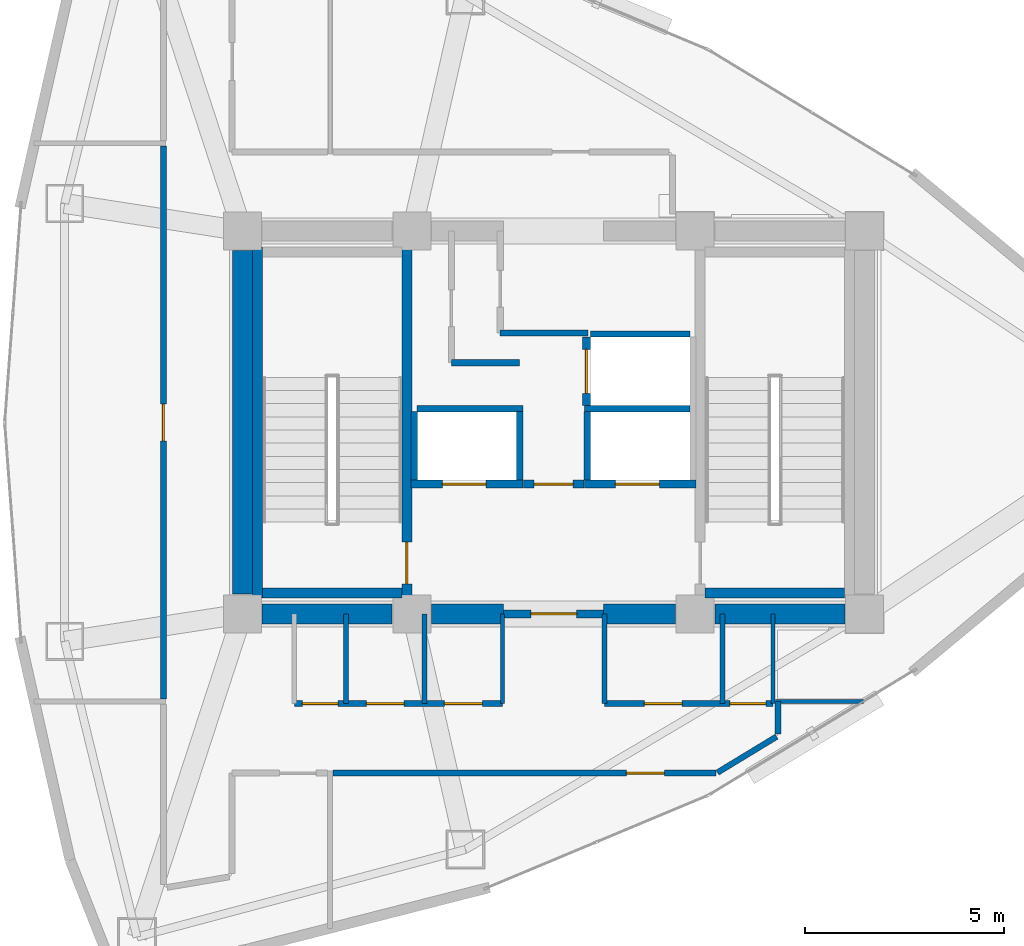
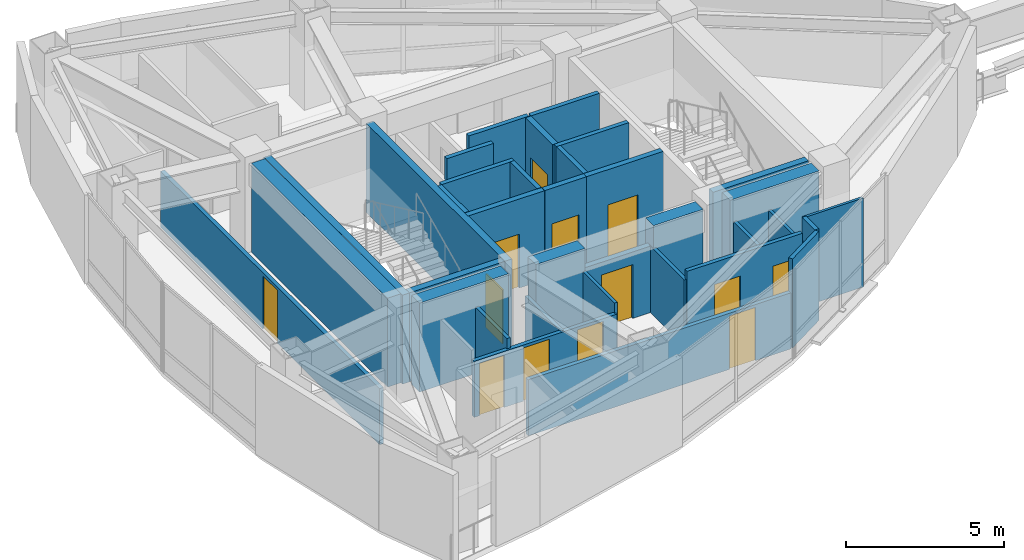
# One storey, part 12 of 15: 35 walls, 13 doors, 13 openings.
"""IFC4 building model written with IfcOpenShell, lengths in metres."""

from ifc_helpers import new_model, si_unit, direction, frame, frame_2d, origin, place, context, subcontext, project, spatial, rectangle, extrude, material, layer, layer_set, type_object, element, fill, save


model = new_model("IFC4")

# Units and contexts
model_context = context("Model", 3, precision=1e-05, world=origin(), true_north=direction((0.0, 1.0)))
body_context = subcontext(model_context, "Body", "Model", "MODEL_VIEW")
ifc_project = project(units=[si_unit("LENGTHUNIT", "METRE"), si_unit("AREAUNIT", "SQUARE_METRE"), si_unit("VOLUMEUNIT", "CUBIC_METRE"), si_unit("PLANEANGLEUNIT", "RADIAN"), si_unit("MASSUNIT", "GRAM", prefix="KILO")], contexts=[model_context])

# Site, building, storey
site_placement = place(None, origin())
site = spatial("IfcSite", under=ifc_project, at=site_placement, CompositionType="ELEMENT")
building_placement = place(site_placement, origin())
building = spatial("IfcBuilding", under=site, at=building_placement, Name="Menara Vayukalpa", CompositionType="ELEMENT")
storey_placement = place(building_placement, frame((0.0, 0.0, 230.699951171875)))
storey = spatial("IfcBuildingStorey", under=building, at=storey_placement, Name="L58", CompositionType="ELEMENT", Elevation=230.699951171875)

# Walls
ifc_material_1 = material(Name="Concrete C60/75", Category="concrete")
ifc_layer_1 = layer(ifc_material_1, 0.5)
ifc_layer_set_1 = layer_set([ifc_layer_1], Name="Concrete C60/75")
wall_type_1 = type_object("IfcWallType", Name="WAL-CW500", PredefinedType="SHEAR", material=ifc_layer_set_1)
wall_1_placement = place(storey_placement, frame((18.294921875, 17.199951171875, 0.0), z_axis=(0.0, 0.0, 1.0), x_axis=(1.0, 0.0, 0.0)))
element("IfcWall", 1, at=wall_1_placement, inside=storey, type_object=wall_type_1, Name="L58 Buttressed Core Shear Wall CWS1", PredefinedType="SHEAR", context=body_context, shape_type="SweptSolid", body=[
    extrude(rectangle(XDim=3.260009765625, YDim=0.5, at=frame_2d((1.6298828125, 0.0))), origin(), (0.0, 0.0, 1.0), 3.43994140625),
])
wall_2_placement = place(storey_placement, frame((22.544921875, 17.199951171875, 0.0), z_axis=(0.0, 0.0, 1.0), x_axis=(1.0, 0.0, 0.0)))
element("IfcWall", 2, at=wall_2_placement, inside=storey, type_object=wall_type_1, Name="L58 Buttressed Core Shear Wall CWS2", PredefinedType="SHEAR", context=body_context, shape_type="SweptSolid", body=[
    extrude(rectangle(XDim=1.80517578125, YDim=0.5, at=frame_2d((0.902587890625, 0.0))), origin(), (0.0, 0.0, 1.0), 3.43994140625),
])
wall_3_placement = place(storey_placement, frame((26.85009765625, 17.199951171875, 0.0), z_axis=(0.0, 0.0, 1.0), x_axis=(1.0, 0.0, 0.0)))
element("IfcWall", 3, at=wall_3_placement, inside=storey, type_object=wall_type_1, Name="L58 Buttressed Core Shear Wall CWS3", PredefinedType="SHEAR", context=body_context, shape_type="SweptSolid", body=[
    extrude(rectangle(XDim=1.804931640625, YDim=0.5, at=frame_2d((0.90234375, 0.0))), origin(), (0.0, 0.0, 1.0), 3.43994140625),
])
wall_4_placement = place(storey_placement, frame((29.64501953125, 17.199951171875, 0.0), z_axis=(0.0, 0.0, 1.0), x_axis=(1.0, 0.0, 0.0)))
element("IfcWall", 4, at=wall_4_placement, inside=storey, type_object=wall_type_1, Name="L58 Buttressed Core Shear Wall CWS4", PredefinedType="SHEAR", context=body_context, shape_type="SweptSolid", body=[
    extrude(rectangle(XDim=3.260009765625, YDim=0.5, at=frame_2d((1.6298828125, 0.0))), origin(), (0.0, 0.0, 1.0), 3.43994140625),
])
wall_5_placement = place(storey_placement, frame((17.800048828125, 17.695068359375, 0.0), z_axis=(0.0, 0.0, 1.0), x_axis=(0.0, 1.0, 0.0)))
element("IfcWall", 5, at=wall_5_placement, inside=storey, type_object=wall_type_1, Name="L58 Buttressed Core Shear Wall CWW1", PredefinedType="SHEAR", context=body_context, shape_type="SweptSolid", body=[
    extrude(rectangle(XDim=8.60986328125, YDim=0.5, at=frame_2d((4.304931640625, 0.0))), origin(), (0.0, 0.0, 1.0), 3.43994140625),
])
ifc_material_2 = material(Name="Lightweight Concrete Blockwork C16/20", Category="masonry")
ifc_layer_2 = layer(ifc_material_2, 0.159912109375)
ifc_layer_set_2 = layer_set([ifc_layer_2], Name="Lightweight Concrete Blockwork C16/20")
wall_type_2 = type_object("IfcWallType", Name="WAL-FR150", PredefinedType="PARTITIONING", material=ifc_layer_set_2)
for number, where, z_axis, x_axis, name in (
    (6, (22.10498046875, 20.56005859375, 0.0), (0.0, 0.0, 1.0), (0.0, 1.0, 0.0), "L58 Interior Partition IW-L58-SHW-WW"),
    (7, (24.7548828125, 20.56005859375, 0.0), (0.0, 0.0, 1.0), (0.0, 1.0, 0.0), "L58 Interior Partition IW-L58-SHW-W1E"),
):
    element("IfcWall", number, at=place(storey_placement, frame(where, z_axis=z_axis, x_axis=x_axis)), inside=storey, type_object=wall_type_2, Name=name, PredefinedType="PARTITIONING", context=body_context, shape_type="SweptSolid", body=[
        extrude(rectangle(XDim=1.7099609375, YDim=0.159912109375, at=frame_2d((0.85498046875, 0.0))), origin(), (0.0, 0.0, 1.0), 3.43994140625),
    ])
wall_6_placement = place(storey_placement, frame((22.179931640625, 22.344970703125, 0.0), z_axis=(0.0, 0.0, 1.0), x_axis=(1.0, 0.0, 0.0)))
element("IfcWall", 8, at=wall_6_placement, inside=storey, type_object=wall_type_2, Name="L58 Interior Partition IW-L58-SHM-W12", PredefinedType="PARTITIONING", context=body_context, shape_type="SweptSolid", body=[
    extrude(rectangle(XDim=2.650146484375, YDim=0.159912109375, at=frame_2d((1.3251953125, 0.0))), origin(), (0.0, 0.0, 1.0), 3.43994140625),
])
wall_7_placement = place(storey_placement, frame((26.445068359375, 20.56005859375, 0.0), z_axis=(0.0, 0.0, 1.0), x_axis=(0.0, 1.0, 0.0)))
element("IfcWall", 9, at=wall_7_placement, inside=storey, type_object=wall_type_2, Name="L58 Interior Partition IW-L58-SHW-E1W", PredefinedType="PARTITIONING", context=body_context, shape_type="SweptSolid", body=[
    extrude(rectangle(XDim=1.7099609375, YDim=0.159912109375, at=frame_2d((0.85498046875, 0.0))), origin(), (0.0, 0.0, 1.0), 3.43994140625),
])
wall_8_placement = place(storey_placement, frame((26.3701171875, 22.344970703125, 0.0), z_axis=(0.0, 0.0, 1.0), x_axis=(1.0, 0.0, 0.0)))
element("IfcWall", 10, at=wall_8_placement, inside=storey, type_object=wall_type_2, Name="L58 Interior Partition IW-L58-SHM-E13", PredefinedType="PARTITIONING", context=body_context, shape_type="SweptSolid", body=[
    extrude(rectangle(XDim=2.64990234375, YDim=0.159912109375, at=frame_2d((1.324951171875, 0.0))), origin(), (0.0, 0.0, 1.0), 3.43994140625),
])
wall_9_placement = place(storey_placement, frame((26.530029296875, 24.215087890625, 0.0), z_axis=(0.0, 0.0, 1.0), x_axis=(1.0, 0.0, 0.0)))
element("IfcWall", 11, at=wall_9_placement, inside=storey, type_object=wall_type_2, Name="L58 Interior Partition IW-L58-SHM-E32", PredefinedType="PARTITIONING", context=body_context, shape_type="SweptSolid", body=[
    extrude(rectangle(XDim=2.489990234375, YDim=0.159912109375, at=frame_2d((1.2451171875, 0.0))), origin(), (0.0, 0.0, 1.0), 3.43994140625),
])
wall_10_placement = place(storey_placement, frame((23.0400390625, 23.5, 0.0), z_axis=(0.0, 0.0, 1.0), x_axis=(1.0, 0.0, 0.0)))
element("IfcWall", 12, at=wall_10_placement, inside=storey, type_object=wall_type_2, Name="L58 Interior Partition IW-L58-LV7WA", PredefinedType="PARTITIONING", context=body_context, shape_type="SweptSolid", body=[
    extrude(rectangle(XDim=1.699951171875, YDim=0.159912109375, at=frame_2d((0.85009765625, 0.0))), origin(), (0.0, 0.0, 1.0), 3.43994140625),
])
wall_11_placement = place(storey_placement, frame((24.260009765625, 24.239990234375, 0.0), z_axis=(0.0, 0.0, 1.0), x_axis=(1.0, 0.0, 0.0)))
element("IfcWall", 13, at=wall_11_placement, inside=storey, type_object=wall_type_2, Name="L58 Interior Partition IW-L58-LV7EA", PredefinedType="PARTITIONING", context=body_context, shape_type="SweptSolid", body=[
    extrude(rectangle(XDim=2.199951171875, YDim=0.159912109375, at=frame_2d((1.10009765625, 0.0))), origin(), (0.0, 0.0, 1.0), 3.43994140625),
])

# Wall, opening, door
ifc_material_3 = material(Name="Lightweight Concrete Blockwork C16/20", Category="masonry")
ifc_layer_3 = layer(ifc_material_3, 0.199951171875)
ifc_layer_set_3 = layer_set([ifc_layer_3], Name="Lightweight Concrete Blockwork C16/20")
wall_type_3 = type_object("IfcWallType", Name="WAL-FR200", PredefinedType="PARTITIONING", material=ifc_layer_set_3)
wall_12_placement = place(storey_placement, frame((24.35009765625, 17.199951171875, 0.0), z_axis=(0.0, 0.0, 1.0), x_axis=(1.0, 0.0, 0.0)))
wall_12 = element("IfcWall", 14, at=wall_12_placement, inside=storey, type_object=wall_type_3, Name="L58 Interior Partition IW-L58-FFLS", PredefinedType="PARTITIONING", context=body_context, shape_type="SweptSolid", body=[
    extrude(rectangle(XDim=2.5, YDim=0.199951171875, at=frame_2d((1.25, 0.0))), origin(), (0.0, 0.0, 1.0), 2.570068359375),
])
opening_1_placement = place(wall_12_placement, frame((0.679931640625, 0.0, 0.0)))
opening_1 = element("IfcOpeningElement", 15, at=opening_1_placement, cuts=wall_12, Name="Opening ID2", PredefinedType="OPENING", context=body_context, shape_type="SweptSolid", body=[
    extrude(rectangle(XDim=1.14990234375, YDim=2.080078125, at=frame_2d((0.574951171875, 1.0400390625))), frame((0.0, 0.10986328125, 0.0), z_axis=(0.0, -1.0, 0.0), x_axis=(1.0, 0.0, 0.0)), (0.0, 0.0, 1.0), 0.219970703125),
])
ifc_material_4 = material(Name="Fire-Rated Powder-Coated Steel Door", Category="steel")
door_type_1 = type_object("IfcDoorType", Name="DR-FD60W", OperationType="NOTDEFINED", PredefinedType="DOOR", material=ifc_material_4)
door_1_placement = place(opening_1_placement, origin())
door_1 = element("IfcDoor", 16, at=door_1_placement, inside=storey, type_object=door_type_1, Name="L58 Interior Door DR-L58-FFLS", OperationType="SINGLE_SWING_LEFT", OverallHeight=2.080078125, OverallWidth=1.14990234375, PredefinedType="DOOR", context=body_context, shape_type="SweptSolid", body=[
    extrude(rectangle(XDim=1.14990234375, YDim=2.080078125, at=frame_2d((0.574951171875, 1.0400390625))), frame((0.0, 0.02490234375, 0.0), z_axis=(0.0, -1.0, 0.0), x_axis=(1.0, 0.0, 0.0)), (0.0, 0.0, 1.0), 0.050048828125),
])
fill(opening_1, door_1)

wall_13_placement = place(storey_placement, frame((24.840087890625, 20.449951171875, 0.0), z_axis=(0.0, 0.0, 1.0), x_axis=(1.0, 0.0, 0.0)))
wall_13 = element("IfcWall", 17, at=wall_13_placement, inside=storey, type_object=wall_type_3, Name="L58 Interior Partition IW-L58-FFLN", PredefinedType="PARTITIONING", context=body_context, shape_type="SweptSolid", body=[
    extrude(rectangle(XDim=1.52001953125, YDim=0.199951171875, at=frame_2d((0.760009765625, 0.0))), origin(), (0.0, 0.0, 1.0), 3.43994140625),
])
opening_2_placement = place(wall_13_placement, frame((0.27001953125, 0.0, 0.0)))
opening_2 = element("IfcOpeningElement", 18, at=opening_2_placement, cuts=wall_13, Name="Opening ID3", PredefinedType="OPENING", context=body_context, shape_type="SweptSolid", body=[
    extrude(rectangle(XDim=0.97998046875, YDim=2.06005859375, at=frame_2d((0.489990234375, 1.030029296875))), frame((0.0, 0.10986328125, 0.0), z_axis=(0.0, -1.0, 0.0), x_axis=(1.0, 0.0, 0.0)), (0.0, 0.0, 1.0), 0.219970703125),
])
ifc_material_5 = material(Name="Fire-Rated Powder-Coated Steel Door", Category="steel")
door_type_2 = type_object("IfcDoorType", Name="DR-FD60", OperationType="NOTDEFINED", PredefinedType="DOOR", material=ifc_material_5)
door_2_placement = place(opening_2_placement, origin())
door_2 = element("IfcDoor", 19, at=door_2_placement, inside=storey, type_object=door_type_2, Name="L58 Interior Door DR-L58-FFLN", OperationType="SINGLE_SWING_RIGHT", OverallHeight=2.06005859375, OverallWidth=0.97998046875, PredefinedType="DOOR", context=body_context, shape_type="SweptSolid", body=[
    extrude(rectangle(XDim=0.97998046875, YDim=2.06005859375, at=frame_2d((0.489990234375, 1.030029296875))), frame((0.0, 0.02490234375, 0.0), z_axis=(0.0, -1.0, 0.0), x_axis=(1.0, 0.0, 0.0)), (0.0, 0.0, 1.0), 0.050048828125),
])
fill(opening_2, door_2)

wall_14_placement = place(storey_placement, frame((22.030029296875, 20.449951171875, 0.0), z_axis=(0.0, 0.0, 1.0), x_axis=(1.0, 0.0, 0.0)))
wall_14 = element("IfcWall", 20, at=wall_14_placement, inside=storey, type_object=wall_type_3, Name="L58 Interior Partition IW-L58-SH-W1", PredefinedType="PARTITIONING", context=body_context, shape_type="SweptSolid", body=[
    extrude(rectangle(XDim=2.800048828125, YDim=0.199951171875, at=frame_2d((1.39990234375, 0.0))), origin(), (0.0, 0.0, 1.0), 3.43994140625),
])
opening_3_placement = place(wall_14_placement, frame((0.780029296875, 0.0, 0.0)))
opening_3 = element("IfcOpeningElement", 21, at=opening_3_placement, cuts=wall_14, Name="Opening LD1", PredefinedType="OPENING", context=body_context, shape_type="SweptSolid", body=[
    extrude(rectangle(XDim=1.10009765625, YDim=2.080078125, at=frame_2d((0.550048828125, 1.0400390625))), frame((0.0, 0.10986328125, 0.0), z_axis=(0.0, -1.0, 0.0), x_axis=(1.0, 0.0, 0.0)), (0.0, 0.0, 1.0), 0.219970703125),
])
ifc_material_6 = material(Name="Brushed Stainless Steel 316 Lift Door", Category="steel")
door_type_3 = type_object("IfcDoorType", Name="DR-LD110", OperationType="NOTDEFINED", PredefinedType="DOOR", material=ifc_material_6)
door_3_placement = place(opening_3_placement, origin())
door_3 = element("IfcDoor", 22, at=door_3_placement, inside=storey, type_object=door_type_3, Name="L58 Interior Door DR-L58-LD-W1", OperationType="DOUBLE_DOOR_SLIDING", OverallHeight=2.080078125, OverallWidth=1.10009765625, PredefinedType="DOOR", context=body_context, shape_type="SweptSolid", body=[
    extrude(rectangle(XDim=1.10009765625, YDim=2.080078125, at=frame_2d((0.550048828125, 1.0400390625))), frame((0.0, 0.02490234375, 0.0), z_axis=(0.0, -1.0, 0.0), x_axis=(1.0, 0.0, 0.0)), (0.0, 0.0, 1.0), 0.050048828125),
])
fill(opening_3, door_3)

wall_15_placement = place(storey_placement, frame((26.3701171875, 20.449951171875, 0.0), z_axis=(0.0, 0.0, 1.0), x_axis=(1.0, 0.0, 0.0)))
wall_15 = element("IfcWall", 23, at=wall_15_placement, inside=storey, type_object=wall_type_3, Name="L58 Interior Partition IW-L58-SH-E1", PredefinedType="PARTITIONING", context=body_context, shape_type="SweptSolid", body=[
    extrude(rectangle(XDim=2.7998046875, YDim=0.199951171875, at=frame_2d((1.39990234375, 0.0))), origin(), (0.0, 0.0, 1.0), 3.43994140625),
])
opening_4_placement = place(wall_15_placement, frame((0.780029296875, 0.0, 0.0)))
opening_4 = element("IfcOpeningElement", 24, at=opening_4_placement, cuts=wall_15, Name="Opening LD1", PredefinedType="OPENING", context=body_context, shape_type="SweptSolid", body=[
    extrude(rectangle(XDim=1.10009765625, YDim=2.080078125, at=frame_2d((0.550048828125, 1.0400390625))), frame((0.0, 0.10986328125, 0.0), z_axis=(0.0, -1.0, 0.0), x_axis=(1.0, 0.0, 0.0)), (0.0, 0.0, 1.0), 0.219970703125),
])
door_4_placement = place(opening_4_placement, origin())
door_4 = element("IfcDoor", 25, at=door_4_placement, inside=storey, type_object=door_type_3, Name="L58 Interior Door DR-L58-LD-E1", OperationType="DOUBLE_DOOR_SLIDING", OverallHeight=2.080078125, OverallWidth=1.10009765625, PredefinedType="DOOR", context=body_context, shape_type="SweptSolid", body=[
    extrude(rectangle(XDim=1.10009765625, YDim=2.080078125, at=frame_2d((0.550048828125, 1.0400390625))), frame((0.0, 0.02490234375, 0.0), z_axis=(0.0, -1.0, 0.0), x_axis=(1.0, 0.0, 0.0)), (0.0, 0.0, 1.0), 0.050048828125),
])
fill(opening_4, door_4)

wall_16_placement = place(storey_placement, frame((26.419921875, 22.419921875, 0.0), z_axis=(0.0, 0.0, 1.0), x_axis=(0.0, 1.0, 0.0)))
wall_16 = element("IfcWall", 26, at=wall_16_placement, inside=storey, type_object=wall_type_3, Name="L58 Interior Partition IW-L58-SH-E3", PredefinedType="PARTITIONING", context=body_context, shape_type="SweptSolid", body=[
    extrude(rectangle(XDim=1.719970703125, YDim=0.199951171875, at=frame_2d((0.85986328125, 0.0))), origin(), (0.0, 0.0, 1.0), 3.43994140625),
])
opening_5_placement = place(wall_16_placement, frame((0.31005859375, 0.0, 0.0)))
opening_5 = element("IfcOpeningElement", 27, at=opening_5_placement, cuts=wall_16, Name="Opening LD1", PredefinedType="OPENING", context=body_context, shape_type="SweptSolid", body=[
    extrude(rectangle(XDim=1.10009765625, YDim=2.080078125, at=frame_2d((0.550048828125, 1.0400390625))), frame((0.0, 0.10986328125, 0.0), z_axis=(0.0, -1.0, 0.0), x_axis=(1.0, 0.0, 0.0)), (0.0, 0.0, 1.0), 0.219970703125),
])
door_5_placement = place(opening_5_placement, origin())
door_5 = element("IfcDoor", 28, at=door_5_placement, inside=storey, type_object=door_type_3, Name="L58 Interior Door DR-L58-LD-E3", OperationType="DOUBLE_DOOR_SLIDING", OverallHeight=2.080078125, OverallWidth=1.10009765625, PredefinedType="DOOR", context=body_context, shape_type="SweptSolid", body=[
    extrude(rectangle(XDim=1.10009765625, YDim=2.080078125, at=frame_2d((0.550048828125, 1.0400390625))), frame((0.0, 0.02490234375, 0.0), z_axis=(0.0, -1.0, 0.0), x_axis=(1.0, 0.0, 0.0)), (0.0, 0.0, 1.0), 0.050048828125),
])
fill(opening_5, door_5)

# Walls
ifc_material_7 = material(Name="Glazed Demountable Office Partition", Category="glass")
ifc_layer_4 = layer(ifc_material_7, 0.094970703125)
ifc_layer_set_4 = layer_set([ifc_layer_4], Name="Glazed Demountable Office Partition")
wall_type_4 = type_object("IfcWallType", Name="WAL-PT100", PredefinedType="PARTITIONING", material=ifc_layer_set_4)
wall_17_placement = place(storey_placement, frame((31.169921875, 15.0, 0.0), z_axis=(0.0, 0.0, 1.0), x_axis=(1.0, 0.0, 0.0)))
element("IfcWall", 29, at=wall_17_placement, inside=storey, type_object=wall_type_4, Name="L58 Interior Partition IW-L58-RDIV04", PredefinedType="PARTITIONING", context=body_context, shape_type="SweptSolid", body=[
    extrude(rectangle(XDim=2.198486328125, YDim=0.094970703125, at=frame_2d((1.09912109375, 0.0))), origin(), (0.0, 0.0, 1.0), 3.43994140625),
])
ifc_material_8 = material(Name="Acoustic Mineral Stud Partition", Category="masonry")
ifc_layer_5 = layer(ifc_material_8, 0.110107421875)
ifc_layer_set_5 = layer_set([ifc_layer_5], Name="Acoustic Mineral Stud Partition")
wall_type_5 = type_object("IfcWallType", Name="WAL-PT110", PredefinedType="PARTITIONING", material=ifc_layer_set_5)
for number, where, z_axis, x_axis, name in (
    (30, (24.320068359375, 14.949951171875, 0.0), (0.0, 0.0, 1.0), (0.0, 1.0, 0.0), "L58 Interior Partition IW-L58-SVCD-04"),
    (31, (31.10009765625, 14.949951171875, 0.0), (0.0, 0.0, 1.0), (0.0, 1.0, 0.0), "L58 Interior Partition IW-L58-SVCD-07"),
):
    element("IfcWall", number, at=place(storey_placement, frame(where, z_axis=z_axis, x_axis=x_axis)), inside=storey, type_object=wall_type_5, Name=name, PredefinedType="PARTITIONING", context=body_context, shape_type="SweptSolid", body=[
        extrude(rectangle(XDim=2.25, YDim=0.110107421875, at=frame_2d((1.125, 0.0))), origin(), (0.0, 0.0, 1.0), 2.570068359375),
    ])
ifc_material_9 = material(Name="Gypsum Drywall Steel Stud Assembly", Category="steel")
ifc_layer_6 = layer(ifc_material_9, 0.125)
ifc_layer_set_6 = layer_set([ifc_layer_6], Name="Gypsum Drywall Steel Stud Assembly")
wall_type_6 = type_object("IfcWallType", Name="WAL-PT125", PredefinedType="PARTITIONING", material=ifc_layer_set_6)
wall_18_placement = place(storey_placement, frame((20.39990234375, 14.949951171875, 0.0), z_axis=(0.0, 0.0, 1.0), x_axis=(0.0, 1.0, 0.0)))
element("IfcWall", 32, at=wall_18_placement, inside=storey, type_object=wall_type_6, Name="L58 Interior Partition IW-L58-SVCD-02", PredefinedType="PARTITIONING", context=body_context, shape_type="SweptSolid", body=[
    extrude(rectangle(XDim=2.25, YDim=0.125, at=frame_2d((1.125, 0.0))), origin(), (0.0, 0.0, 1.0), 2.570068359375),
])
wall_19_placement = place(storey_placement, frame((22.360107421875, 14.949951171875, 0.0), z_axis=(0.0, 0.0, 1.0), x_axis=(0.0, 1.0, 0.0)))
element("IfcWall", 33, at=wall_19_placement, inside=storey, type_object=wall_type_6, Name="L58 Interior Partition IW-L58-SVCD-03", PredefinedType="PARTITIONING", context=body_context, shape_type="SweptSolid", body=[
    extrude(rectangle(XDim=2.25, YDim=0.125, at=frame_2d((1.125, 0.0))), origin(), (0.0, 0.0, 1.0), 2.170166015625),
])
for number, where, z_axis, x_axis, name in (
    (34, (26.8798828125, 14.949951171875, 0.0), (0.0, 0.0, 1.0), (0.0, 1.0, 0.0), "L58 Interior Partition IW-L58-SVCD-05"),
    (35, (29.830078125, 14.949951171875, 0.0), (0.0, 0.0, 1.0), (0.0, 1.0, 0.0), "L58 Interior Partition IW-L58-SVCD-06"),
):
    element("IfcWall", number, at=place(storey_placement, frame(where, z_axis=z_axis, x_axis=x_axis)), inside=storey, type_object=wall_type_6, Name=name, PredefinedType="PARTITIONING", context=body_context, shape_type="SweptSolid", body=[
        extrude(rectangle(XDim=2.25, YDim=0.125, at=frame_2d((1.125, 0.0))), origin(), (0.0, 0.0, 1.0), 2.570068359375),
    ])

# Wall, openings, doors
ifc_material_10 = material(Name="Gypsum Drywall Acoustic Stud Assembly", Category="masonry")
ifc_layer_7 = layer(ifc_material_10, 0.14501953125)
ifc_layer_set_7 = layer_set([ifc_layer_7], Name="Gypsum Drywall Acoustic Stud Assembly")
wall_type_7 = type_object("IfcWallType", Name="WAL-PT150", PredefinedType="PARTITIONING", material=ifc_layer_set_7)
wall_20_placement = place(storey_placement, frame((19.10009765625, 14.949951171875, 0.0), z_axis=(0.0, 0.0, 1.0), x_axis=(1.0, 0.0, 0.0)))
wall_20 = element("IfcWall", 36, at=wall_20_placement, inside=storey, type_object=wall_type_7, Name="L58 Interior Partition IW-L58-SVCS-W", PredefinedType="PARTITIONING", context=body_context, shape_type="SweptSolid", body=[
    extrude(rectangle(XDim=5.219970703125, YDim=0.14501953125, at=frame_2d((2.60986328125, 0.0))), origin(), (0.0, 0.0, 1.0), 2.170166015625),
])
opening_6_placement = place(wall_20_placement, frame((0.199951171875, 0.0, 0.0)))
opening_6 = element("IfcOpeningElement", 37, at=opening_6_placement, cuts=wall_20, Name="Opening ID7", PredefinedType="OPENING", context=body_context, shape_type="SweptSolid", body=[
    extrude(rectangle(XDim=0.89990234375, YDim=2.02001953125, at=frame_2d((0.449951171875, 1.010009765625))), frame((0.0, 0.08251953125, 0.0), z_axis=(0.0, -1.0, 0.0), x_axis=(1.0, 0.0, 0.0)), (0.0, 0.0, 1.0), 0.1650390625),
])
opening_7_placement = place(wall_20_placement, frame((1.804931640625, 0.0, 0.0)))
opening_7 = element("IfcOpeningElement", 38, at=opening_7_placement, cuts=wall_20, Name="Opening ID5", PredefinedType="OPENING", context=body_context, shape_type="SweptSolid", body=[
    extrude(rectangle(XDim=0.949951171875, YDim=2.06005859375, at=frame_2d((0.47509765625, 1.030029296875))), frame((0.0, 0.08251953125, 0.0), z_axis=(0.0, -1.0, 0.0), x_axis=(1.0, 0.0, 0.0)), (0.0, 0.0, 1.0), 0.1650390625),
])
opening_8_placement = place(wall_20_placement, frame((3.764892578125, 0.0, 0.0)))
opening_8 = element("IfcOpeningElement", 39, at=opening_8_placement, cuts=wall_20, Name="Opening ID5", PredefinedType="OPENING", context=body_context, shape_type="SweptSolid", body=[
    extrude(rectangle(XDim=0.949951171875, YDim=2.06005859375, at=frame_2d((0.47509765625, 1.030029296875))), frame((0.0, 0.08251953125, 0.0), z_axis=(0.0, -1.0, 0.0), x_axis=(1.0, 0.0, 0.0)), (0.0, 0.0, 1.0), 0.1650390625),
])
ifc_material_11 = material(Name="Acoustic Hardwood Veneer Timber Door", Category="wood")
door_type_4 = type_object("IfcDoorType", Name="DR-INT95", OperationType="NOTDEFINED", PredefinedType="DOOR", material=ifc_material_11)
door_6_placement = place(opening_7_placement, origin())
door_6 = element("IfcDoor", 40, at=door_6_placement, inside=storey, type_object=door_type_4, Name="L58 Interior Door DR-L58-AWC", OperationType="SINGLE_SWING_RIGHT", OverallHeight=2.06005859375, OverallWidth=0.949951171875, PredefinedType="DOOR", context=body_context, shape_type="SweptSolid", body=[
    extrude(rectangle(XDim=0.949951171875, YDim=2.06005859375, at=frame_2d((0.47509765625, 1.030029296875))), frame((0.0, 0.02490234375, 0.0), z_axis=(0.0, -1.0, 0.0), x_axis=(1.0, 0.0, 0.0)), (0.0, 0.0, 1.0), 0.050048828125),
])
fill(opening_7, door_6)
door_7_placement = place(opening_8_placement, origin())
door_7 = element("IfcDoor", 41, at=door_7_placement, inside=storey, type_object=door_type_4, Name="L58 Interior Door DR-L58-SWC", OperationType="SINGLE_SWING_LEFT", OverallHeight=2.06005859375, OverallWidth=0.949951171875, PredefinedType="DOOR", context=body_context, shape_type="SweptSolid", body=[
    extrude(rectangle(XDim=0.949951171875, YDim=2.06005859375, at=frame_2d((0.47509765625, 1.030029296875))), frame((0.0, 0.02490234375, 0.0), z_axis=(0.0, -1.0, 0.0), x_axis=(1.0, 0.0, 0.0)), (0.0, 0.0, 1.0), 0.050048828125),
])
fill(opening_8, door_7)
ifc_material_12 = material(Name="Powder-Coated Steel Riser Access Door", Category="steel")
door_type_5 = type_object("IfcDoorType", Name="DR-RISER", OperationType="NOTDEFINED", PredefinedType="DOOR", material=ifc_material_12)
door_8_placement = place(opening_6_placement, origin())
door_8 = element("IfcDoor", 42, at=door_8_placement, inside=storey, type_object=door_type_5, Name="L58 Interior Door DR-L58-ELR", OperationType="SINGLE_SWING_LEFT", OverallHeight=2.02001953125, OverallWidth=0.89990234375, PredefinedType="DOOR", context=body_context, shape_type="SweptSolid", body=[
    extrude(rectangle(XDim=0.89990234375, YDim=2.02001953125, at=frame_2d((0.449951171875, 1.010009765625))), frame((0.0, 0.02490234375, 0.0), z_axis=(0.0, -1.0, 0.0), x_axis=(1.0, 0.0, 0.0)), (0.0, 0.0, 1.0), 0.050048828125),
])
fill(opening_6, door_8)

wall_21_placement = place(storey_placement, frame((26.8798828125, 14.949951171875, 0.0), z_axis=(0.0, 0.0, 1.0), x_axis=(1.0, 0.0, 0.0)))
wall_21 = element("IfcWall", 43, at=wall_21_placement, inside=storey, type_object=wall_type_7, Name="L58 Interior Partition IW-L58-SVCS-E", PredefinedType="PARTITIONING", context=body_context, shape_type="SweptSolid", body=[
    extrude(rectangle(XDim=4.22021484375, YDim=0.14501953125, at=frame_2d((2.110107421875, 0.0))), origin(), (0.0, 0.0, 1.0), 2.920166015625),
])
opening_9_placement = place(wall_21_placement, frame((0.9951171875, 0.0, 0.0)))
opening_9 = element("IfcOpeningElement", 44, at=opening_9_placement, cuts=wall_21, Name="Opening ID5", PredefinedType="OPENING", context=body_context, shape_type="SweptSolid", body=[
    extrude(rectangle(XDim=0.949951171875, YDim=2.06005859375, at=frame_2d((0.47509765625, 1.030029296875))), frame((0.0, 0.08251953125, 0.0), z_axis=(0.0, -1.0, 0.0), x_axis=(1.0, 0.0, 0.0)), (0.0, 0.0, 1.0), 0.1650390625),
])
opening_10_placement = place(wall_21_placement, frame((3.139892578125, 0.0, 0.0)))
opening_10 = element("IfcOpeningElement", 45, at=opening_10_placement, cuts=wall_21, Name="Opening ID7", PredefinedType="OPENING", context=body_context, shape_type="SweptSolid", body=[
    extrude(rectangle(XDim=0.89990234375, YDim=2.02001953125, at=frame_2d((0.449951171875, 1.010009765625))), frame((0.0, 0.08251953125, 0.0), z_axis=(0.0, -1.0, 0.0), x_axis=(1.0, 0.0, 0.0)), (0.0, 0.0, 1.0), 0.1650390625),
])
door_9_placement = place(opening_9_placement, origin())
door_9 = element("IfcDoor", 46, at=door_9_placement, inside=storey, type_object=door_type_4, Name="L58 Interior Door DR-L58-KSV1", OperationType="SINGLE_SWING_RIGHT", OverallHeight=2.06005859375, OverallWidth=0.949951171875, PredefinedType="DOOR", context=body_context, shape_type="SweptSolid", body=[
    extrude(rectangle(XDim=0.949951171875, YDim=2.06005859375, at=frame_2d((0.47509765625, 1.030029296875))), frame((0.0, 0.02490234375, 0.0), z_axis=(0.0, -1.0, 0.0), x_axis=(1.0, 0.0, 0.0)), (0.0, 0.0, 1.0), 0.050048828125),
])
fill(opening_9, door_9)
door_10_placement = place(opening_10_placement, origin())
door_10 = element("IfcDoor", 47, at=door_10_placement, inside=storey, type_object=door_type_5, Name="L58 Interior Door DR-L58-SMD", OperationType="SINGLE_SWING_LEFT", OverallHeight=2.02001953125, OverallWidth=0.89990234375, PredefinedType="DOOR", context=body_context, shape_type="SweptSolid", body=[
    extrude(rectangle(XDim=0.89990234375, YDim=2.02001953125, at=frame_2d((0.449951171875, 1.010009765625))), frame((0.0, 0.02490234375, 0.0), z_axis=(0.0, -1.0, 0.0), x_axis=(1.0, 0.0, 0.0)), (0.0, 0.0, 1.0), 0.050048828125),
])
fill(opening_10, door_10)

# Wall, opening, door
wall_22_placement = place(storey_placement, frame((20.070068359375, 13.2099609375, 0.0), z_axis=(0.0, 0.0, 1.0), x_axis=(1.0, 0.0, 0.0)))
wall_22 = element("IfcWall", 48, at=wall_22_placement, inside=storey, type_object=wall_type_7, Name="L58 Interior Partition IW-L58-CRM03-1", PredefinedType="PARTITIONING", context=body_context, shape_type="SweptSolid", body=[
    extrude(rectangle(XDim=9.597412109375, YDim=0.14501953125, at=frame_2d((4.798828125, 0.0))), origin(), (0.0, 0.0, 1.0), 2.170166015625),
])
opening_11_placement = place(wall_22_placement, frame((7.356689453125, 0.0, 0.0)))
opening_11 = element("IfcOpeningElement", 49, at=opening_11_placement, cuts=wall_22, Name="Opening ID5", PredefinedType="OPENING", context=body_context, shape_type="SweptSolid", body=[
    extrude(rectangle(XDim=0.949951171875, YDim=2.06005859375, at=frame_2d((0.47509765625, 1.030029296875))), frame((0.0, 0.08251953125, 0.0), z_axis=(0.0, -1.0, 0.0), x_axis=(1.0, 0.0, 0.0)), (0.0, 0.0, 1.0), 0.1650390625),
])
door_11_placement = place(opening_11_placement, origin())
door_11 = element("IfcDoor", 50, at=door_11_placement, inside=storey, type_object=door_type_4, Name="L58 Interior Door DR-L58-RM03", OperationType="SINGLE_SWING_LEFT", OverallHeight=2.06005859375, OverallWidth=0.949951171875, PredefinedType="DOOR", context=body_context, shape_type="SweptSolid", body=[
    extrude(rectangle(XDim=0.949951171875, YDim=2.06005859375, at=frame_2d((0.47509765625, 1.030029296875))), frame((0.0, 0.02490234375, 0.0), z_axis=(0.0, -1.0, 0.0), x_axis=(1.0, 0.0, 0.0)), (0.0, 0.0, 1.0), 0.050048828125),
])
fill(opening_11, door_11)

# Walls
wall_23_placement = place(storey_placement, frame((29.708984375, 13.2216796875, 0.0), z_axis=(0.0, 0.0, 1.0), x_axis=(0.854635840942, 0.519227868451, 0.0)))
element("IfcWall", 51, at=wall_23_placement, inside=storey, type_object=wall_type_7, Name="L58 Interior Partition IW-L58-CRM03-2", PredefinedType="PARTITIONING", context=body_context, shape_type="SweptSolid", body=[
    extrude(rectangle(XDim=1.734619140625, YDim=0.14501953125, at=frame_2d((0.8671875, 0.0))), origin(), (0.0, 0.0, 1.0), 3.43994140625),
])
wall_24_placement = place(storey_placement, frame((31.22998046875, 14.190673828125, 0.0), z_axis=(0.0, 0.0, 1.0), x_axis=(0.0, 1.0, 0.0)))
element("IfcWall", 52, at=wall_24_placement, inside=storey, type_object=wall_type_7, Name="L58 Interior Partition IW-L58-CRM03-3", PredefinedType="PARTITIONING", context=body_context, shape_type="SweptSolid", body=[
    extrude(rectangle(XDim=0.809326171875, YDim=0.14501953125, at=frame_2d((0.40478515625, 0.0))), origin(), (0.0, 0.0, 1.0), 3.43994140625),
])

# Wall, opening, door
wall_25_placement = place(storey_placement, frame((15.820068359375, 28.929931640625, 0.0), z_axis=(0.0, 0.0, 1.0), x_axis=(0.0, -1.0, 0.0)))
wall_25 = element("IfcWall", 53, at=wall_25_placement, inside=storey, type_object=wall_type_7, Name="L58 Interior Partition IW-L58-CRM06-1", PredefinedType="PARTITIONING", context=body_context, shape_type="SweptSolid", body=[
    extrude(rectangle(XDim=13.85986328125, YDim=0.14501953125, at=frame_2d((6.929931640625, 0.0))), origin(), (0.0, 0.0, 1.0), 2.170166015625),
])
opening_12_placement = place(wall_25_placement, frame((6.469970703125, 0.0, 0.0)))
opening_12 = element("IfcOpeningElement", 54, at=opening_12_placement, cuts=wall_25, Name="Opening ID6", PredefinedType="OPENING", context=body_context, shape_type="SweptSolid", body=[
    extrude(rectangle(XDim=0.919921875, YDim=2.050048828125, at=frame_2d((0.4599609375, 1.02490234375))), frame((0.0, 0.08251953125, 0.0), z_axis=(0.0, -1.0, 0.0), x_axis=(1.0, 0.0, 0.0)), (0.0, 0.0, 1.0), 0.1650390625),
])
ifc_material_13 = material(Name="Acoustic Hardwood Veneer Timber Door", Category="wood")
door_type_6 = type_object("IfcDoorType", Name="DR-INT92", OperationType="NOTDEFINED", PredefinedType="DOOR", material=ifc_material_13)
door_12_placement = place(opening_12_placement, origin())
door_12 = element("IfcDoor", 55, at=door_12_placement, inside=storey, type_object=door_type_6, Name="L58 Interior Door DR-L58-RM06", OperationType="SINGLE_SWING_RIGHT", OverallHeight=2.050048828125, OverallWidth=0.919921875, PredefinedType="DOOR", context=body_context, shape_type="SweptSolid", body=[
    extrude(rectangle(XDim=0.919921875, YDim=2.050048828125, at=frame_2d((0.4599609375, 1.02490234375))), frame((0.0, 0.02490234375, 0.0), z_axis=(0.0, -1.0, 0.0), x_axis=(1.0, 0.0, 0.0)), (0.0, 0.0, 1.0), 0.050048828125),
])
fill(opening_12, door_12)

# Wall
ifc_material_14 = material(Name="Concrete C50/60", Category="concrete")
ifc_layer_8 = layer(ifc_material_14, 0.25)
ifc_layer_set_8 = layer_set([ifc_layer_8], Name="Concrete C50/60")
wall_type_8 = type_object("IfcWallType", Name="WAL-SW250", PredefinedType="SHEAR", material=ifc_layer_set_8)
wall_26_placement = place(storey_placement, frame((18.178955078125, 17.60009765625, 0.0), z_axis=(0.0, 0.0, 1.0), x_axis=(0.0, 1.0, 0.0)))
element("IfcWall", 56, at=wall_26_placement, inside=storey, type_object=wall_type_8, Name="L58 ST1 Structural Stair Shaft Wall W", PredefinedType="SHEAR", context=body_context, shape_type="SweptSolid", body=[
    extrude(rectangle(XDim=8.7998046875, YDim=0.25, at=frame_2d((4.39990234375, 0.0))), origin(), (0.0, 0.0, 1.0), 3.43994140625),
])

# Wall, opening, door
wall_27_placement = place(storey_placement, frame((21.925048828125, 17.60009765625, 0.0), z_axis=(0.0, 0.0, 1.0), x_axis=(0.0, 1.0, 0.0)))
wall_27 = element("IfcWall", 57, at=wall_27_placement, inside=storey, type_object=wall_type_8, Name="L58 ST1 Structural Stair Shaft Wall E", PredefinedType="SHEAR", context=body_context, shape_type="SweptSolid", body=[
    extrude(rectangle(XDim=8.7998046875, YDim=0.25, at=frame_2d((4.39990234375, 0.0))), origin(), (0.0, 0.0, 1.0), 3.43994140625),
])
opening_13_placement = place(wall_27_placement, frame((0.35009765625, 0.0, 0.0)))
opening_13 = element("IfcOpeningElement", 58, at=opening_13_placement, cuts=wall_27, Name="Opening ID1", PredefinedType="OPENING", context=body_context, shape_type="SweptSolid", body=[
    extrude(rectangle(XDim=1.050048828125, YDim=2.080078125, at=frame_2d((0.52490234375, 1.0400390625))), frame((0.0, 0.135009765625, 0.0), z_axis=(0.0, -1.0, 0.0), x_axis=(1.0, 0.0, 0.0)), (0.0, 0.0, 1.0), 0.27001953125),
])
ifc_material_15 = material(Name="Fire-Rated Powder-Coated Steel Door", Category="steel")
door_type_7 = type_object("IfcDoorType", Name="DR-FD120", OperationType="NOTDEFINED", PredefinedType="DOOR", material=ifc_material_15)
door_13_placement = place(opening_13_placement, origin())
door_13 = element("IfcDoor", 59, at=door_13_placement, inside=storey, type_object=door_type_7, Name="L58 Stair Exit Door DR-L58-ST1", OperationType="SINGLE_SWING_LEFT", OverallHeight=2.080078125, OverallWidth=1.050048828125, PredefinedType="DOOR", context=body_context, shape_type="SweptSolid", body=[
    extrude(rectangle(XDim=1.050048828125, YDim=2.080078125, at=frame_2d((0.52490234375, 1.0400390625))), frame((0.0, 0.02490234375, 0.0), z_axis=(0.0, -1.0, 0.0), x_axis=(1.0, 0.0, 0.0)), (0.0, 0.0, 1.0), 0.050048828125),
])
fill(opening_13, door_13)

# Walls
for number, where, z_axis, x_axis, name in (
    (60, (18.303955078125, 17.72509765625, 0.0), (0.0, 0.0, 1.0), (1.0, 0.0, 0.0), "L58 ST1 Structural Stair Shaft Wall S"),
    (61, (29.39990234375, 17.72509765625, 0.0), (0.0, 0.0, 1.0), (1.0, 0.0, 0.0), "L58 ST2 Structural Stair Shaft Wall S"),
):
    element("IfcWall", number, at=place(storey_placement, frame(where, z_axis=z_axis, x_axis=x_axis)), inside=storey, type_object=wall_type_8, Name=name, PredefinedType="SHEAR", context=body_context, shape_type="SweptSolid", body=[
        extrude(rectangle(XDim=3.49609375, YDim=0.25, at=frame_2d((1.748046875, 0.0))), origin(), (0.0, 0.0, 1.0), 3.43994140625),
    ])

save(model, "model.ifc")
